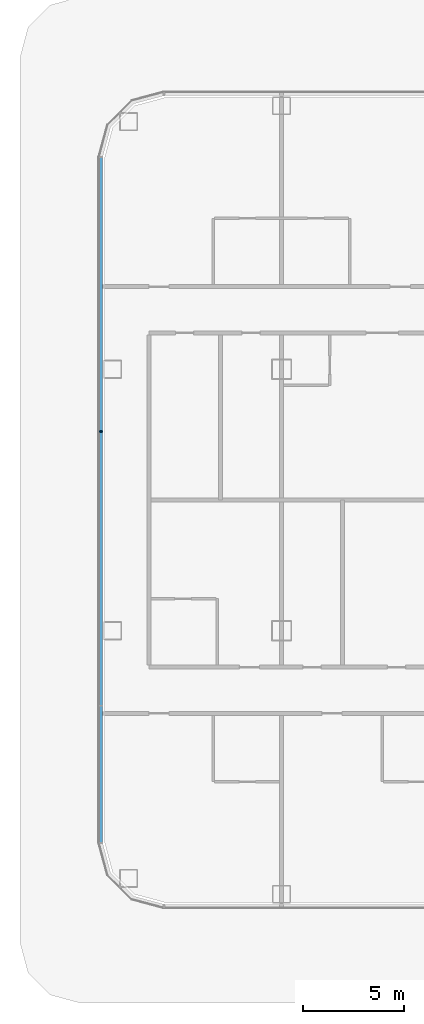
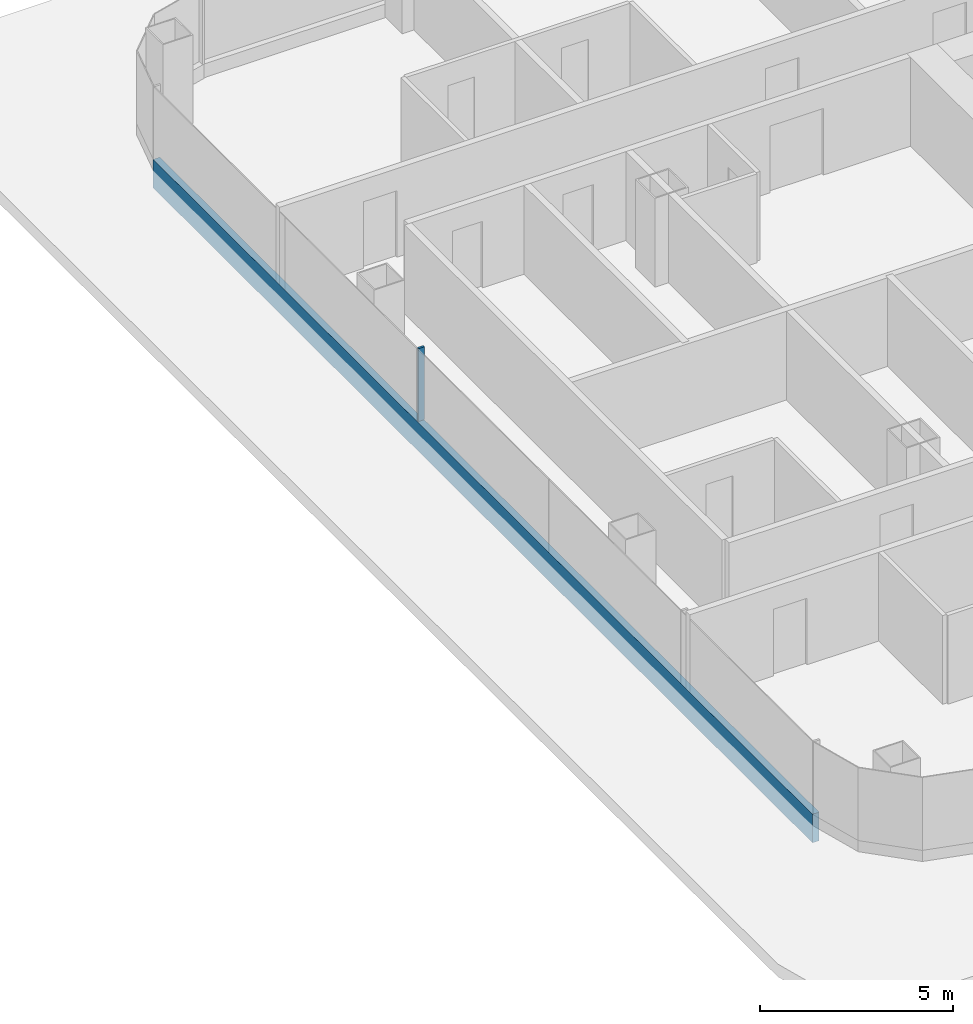
# One storey, part 4 of 42: 2 members, 1 element without a shape of its own.
"""IFC4 building model written with IfcOpenShell, lengths in metres."""

from ifc_helpers import new_model, si_unit, direction, frame, origin, origin_2d, place, context, subcontext, project, spatial, rectangle, extrude, material, layer, layer_set, material_profile, profile_set, type_object, element, aggregate, save


model = new_model("IFC4")

# Units and contexts
model_context = context("Model", 3, precision=1e-05, world=origin(), true_north=direction((0.0, 1.0)))
body_context = subcontext(model_context, "Body", "Model", "MODEL_VIEW")
ifc_project = project(units=[si_unit("LENGTHUNIT", "METRE"), si_unit("AREAUNIT", "SQUARE_METRE"), si_unit("VOLUMEUNIT", "CUBIC_METRE"), si_unit("PLANEANGLEUNIT", "RADIAN"), si_unit("MASSUNIT", "GRAM", prefix="KILO")], contexts=[model_context])

# Site, building, storey
site_placement = place(None, origin())
site = spatial("IfcSite", under=ifc_project, at=site_placement, CompositionType="ELEMENT")
building_placement = place(site_placement, origin())
building = spatial("IfcBuilding", under=site, at=building_placement, Name="Hakoniwa Tower and Hamabe Station Hall", CompositionType="ELEMENT")
storey_placement = place(building_placement, frame((0.0, 0.0, 19.800048828125)))
storey = spatial("IfcBuildingStorey", under=building, at=storey_placement, Name="L04", CompositionType="ELEMENT", Elevation=19.800048828125)

# Curtain wall, members
ifc_material_1 = material(Name="Dark low-e laminated glass", Category="glass")
ifc_layer = layer(ifc_material_1, 0.199951171875)
ifc_layer_set = layer_set([ifc_layer], Name="CW-1 UNITISED GUEST")
curtain_wall_type = type_object("IfcCurtainWallType", Name="CW-1 UNITISED GUEST", PredefinedType="NOTDEFINED", material=ifc_layer_set)
curtain_wall_placement = place(storey_placement, origin())
curtain_wall = element("IfcCurtainWall", 1, at=curtain_wall_placement, inside=storey, type_object=curtain_wall_type, Name="CW-1 curtain wall", PredefinedType="NOTDEFINED")
ifc_material_2 = material(Name="Aluminium 6063-T5 black anodised", Category="aluminium")
ifc_material_profile_1 = material_profile(ifc_material_2, rectangle(XDim=0.199951171875, YDim=0.89990234375, at=origin_2d()), Name="CW SLAB-EDGE BAND 900X200")
ifc_profile_set_1 = profile_set([ifc_material_profile_1], Name="Aluminium 6063-T5 black anodised")
member_type_1 = type_object("IfcMemberType", Name="CW SLAB-EDGE BAND 900X200", PredefinedType="USERDEFINED", material=ifc_profile_set_1)
member_1_placement = place(storey_placement, frame((-51.0, 17.03955078125, -0.10009765625), z_axis=(0.0, -1.0, 0.0), x_axis=(1.0, 0.0, 0.0)))
member_1 = element("IfcMember", 2, at=member_1_placement, type_object=member_type_1, Name="CW-1 transom", ObjectType="TRANSOM", PredefinedType="USERDEFINED", context=body_context, shape_type="SweptSolid", body=[
    extrude(rectangle(XDim=0.199951171875, YDim=0.89990234375, at=origin_2d()), origin(), (0.0, 0.0, 1.0), 34.0791015625),
])
ifc_material_3 = material(Name="Aluminium 6063-T5 black anodised", Category="aluminium")
ifc_material_profile_2 = material_profile(ifc_material_3, rectangle(XDim=0.06005859375, YDim=0.179931640625, at=origin_2d()), Name="CW-1 MULLION 60X180")
ifc_profile_set_2 = profile_set([ifc_material_profile_2], Name="Aluminium 6063-T5 black anodised")
member_type_2 = type_object("IfcMemberType", Name="CW-1 MULLION 60X180", PredefinedType="MULLION", material=ifc_profile_set_2)
member_2_placement = place(storey_placement, frame((-50.98193359375, 3.407958984375, 0.349853515625), z_axis=(0.0, 0.0, 1.0), x_axis=(0.0, -1.0, 0.0)))
member_2 = element("IfcMember", 3, at=member_2_placement, type_object=member_type_2, Name="CW-1 mullion", PredefinedType="MULLION", context=body_context, shape_type="SweptSolid", body=[
    extrude(rectangle(XDim=0.06005859375, YDim=0.179931640625, at=origin_2d()), origin(), (0.0, 0.0, 1.0), 2.300048828125),
])
aggregate(curtain_wall, [member_2, member_1])

save(model, "model.ifc")
